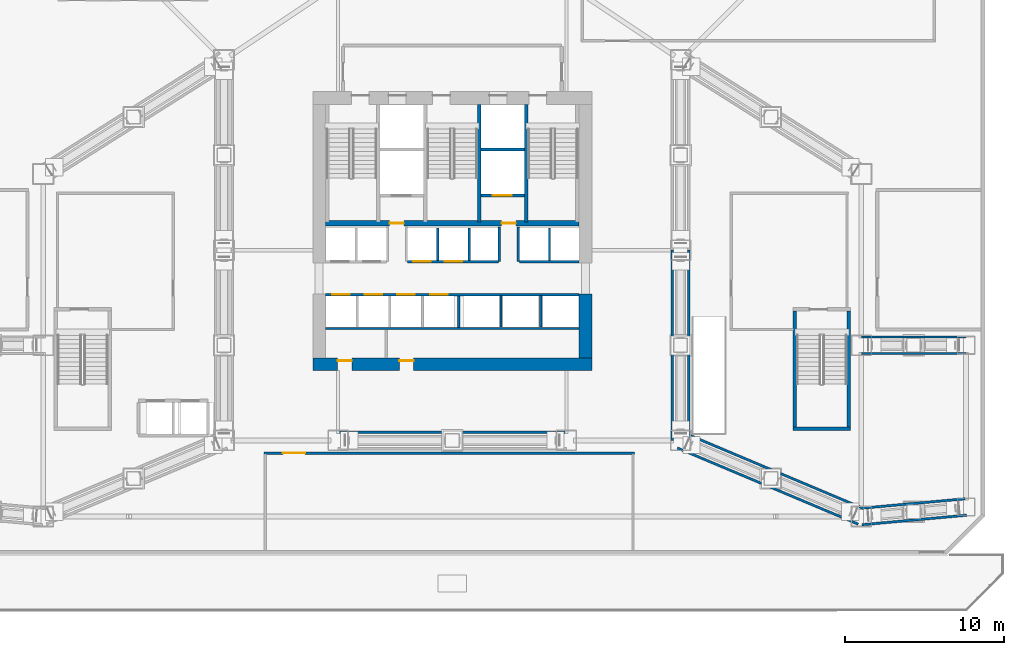
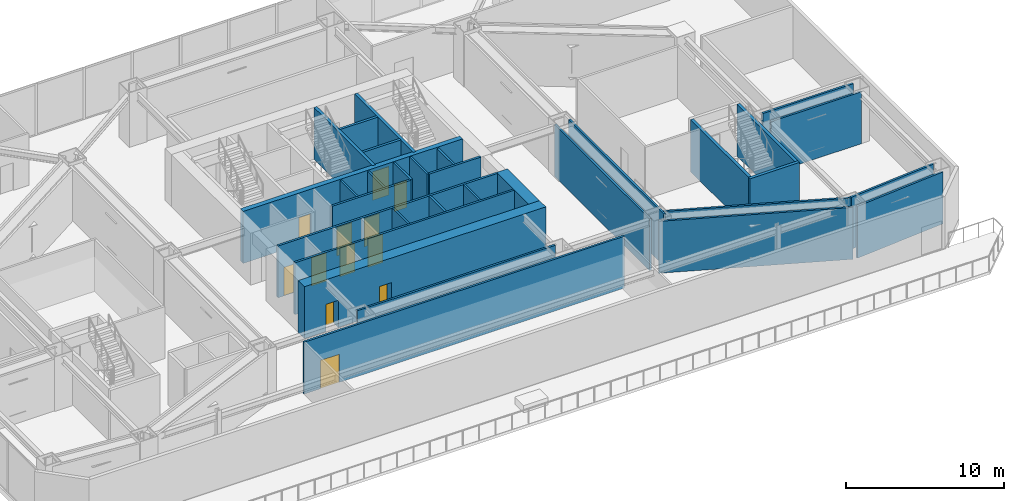
# One storey, part 33 of 39: 32 walls, 12 doors, 12 openings.
"""IFC4 building model written with IfcOpenShell, lengths in metres."""

import ifcopenshell
import ifcopenshell.guid

model = None  # the IFC model being written
_history = None  # IfcOwnerHistory: only IFC2X3 demands one
_inside = {}  # id of a spatial element -> (the spatial element, [elements in it])
_under = {}  # id of a project, library or spatial element -> (it, [spatial elements below it])
_declared = {}  # id of a project -> (the project, [libraries it declares])
_typed = {}  # id of a type object -> (the type object, [elements of that type])
_made_of = {}  # id of a material, layer set ... -> (it, [elements and type objects made of it])


def new_model(schema):
    """Start an empty IFC model of exactly this schema.

    Asked for "IFC4X3", IfcOpenShell would pick the latest addendum, in which some entities
    have other attributes; the version numbers below select the first issue.
    IFC2X3 requires an IfcOwnerHistory on every rooted entity: one is made here for all.
    """
    global model, _history
    if schema == "IFC4X3":
        model = ifcopenshell.file(schema_version=(4, 3, 0, 0))
    else:
        model = ifcopenshell.file(schema=schema)
    _inside.clear()
    _under.clear()
    _declared.clear()
    _typed.clear()
    _made_of.clear()
    _history = None
    if model.schema == "IFC2X3":
        org = make("IfcOrganization", Name="unknown")
        user = make(
            "IfcPersonAndOrganization",
            ThePerson=make("IfcPerson", FamilyName="unknown"),
            TheOrganization=org,
        )
        app = make(
            "IfcApplication",
            ApplicationDeveloper=org,
            Version="unknown",
            ApplicationFullName="unknown",
            ApplicationIdentifier="unknown",
        )
        _history = make(
            "IfcOwnerHistory",
            OwningUser=user,
            OwningApplication=app,
            ChangeAction="ADDED",
            CreationDate=0,
        )
    return model


def make(cls, **values):
    """One entity of the class cls with the attributes given. An attribute that is None is left unset."""
    return model.create_entity(
        cls, **{name: value for name, value in values.items() if value is not None}
    )


def rooted(cls, **values):
    """An entity with a GlobalId (a new one), such as an element, a storey or a relation."""
    return make(cls, GlobalId=ifcopenshell.guid.new(), OwnerHistory=_history, **values)


def si_unit(unit_type, name, prefix=None):
    """IfcSIUnit, for example si_unit("LENGTHUNIT", "METRE", prefix="MILLI")."""
    return make("IfcSIUnit", UnitType=unit_type, Prefix=prefix, Name=name)


def assignment(units):
    """IfcUnitAssignment: the units of a project."""
    return None if units is None else make("IfcUnitAssignment", Units=units)


def point(xyz):
    """IfcCartesianPoint."""
    return None if xyz is None else make("IfcCartesianPoint", Coordinates=xyz)


def direction(xyz):
    """IfcDirection."""
    return None if xyz is None else make("IfcDirection", DirectionRatios=xyz)


def frame(location, z_axis=None, x_axis=None):
    """IfcAxis2Placement3D, a coordinate frame: its origin and axes. An axis left out is left unset."""
    return make(
        "IfcAxis2Placement3D",
        Location=point(location),
        Axis=direction(z_axis),
        RefDirection=direction(x_axis),
    )


def frame_2d(location, x_axis=None):
    """IfcAxis2Placement2D, a coordinate frame in the plane: its origin and x axis."""
    return make(
        "IfcAxis2Placement2D", Location=point(location), RefDirection=direction(x_axis)
    )


def origin():
    """The frame at (0, 0, 0) with its axes left unset."""
    return frame((0.0, 0.0, 0.0))


def place(relative_to, where):
    """IfcLocalPlacement: puts the frame where relative to a parent placement (None: the world)."""
    return make(
        "IfcLocalPlacement", PlacementRelTo=relative_to, RelativePlacement=where
    )


def context(
    kind, dimensions, precision=None, world=None, true_north=None, identifier=None
):
    """IfcGeometricRepresentationContext, for example the 3D "Model" context."""
    return make(
        "IfcGeometricRepresentationContext",
        ContextIdentifier=identifier,
        ContextType=kind,
        CoordinateSpaceDimension=dimensions,
        Precision=precision,
        WorldCoordinateSystem=world,
        TrueNorth=true_north,
    )


def subcontext(parent, identifier, kind, view, scale=None):
    """IfcGeometricRepresentationSubContext, for example "Body" below "Model"."""
    return make(
        "IfcGeometricRepresentationSubContext",
        ContextIdentifier=identifier,
        ContextType=kind,
        ParentContext=parent,
        TargetScale=scale,
        TargetView=view,
    )


def project(units=None, contexts=None):
    """IfcProject with its units and contexts."""
    return rooted(
        "IfcProject",
        Name="project",
        RepresentationContexts=contexts,
        UnitsInContext=assignment(units),
    )


def spatial(cls, under=None, at=None, **own):
    """A site, building, storey or space (cls), placed at a placement, below another one or the project."""
    s = rooted(cls, ObjectPlacement=at, **own)
    if under is not None:
        _under.setdefault(under.id(), (under, []))[1].append(s)
    return s


def profile(cls, at=None, kind="AREA", **sizes):
    """A parametric profile (cls). Its sizes go by their IFC names, for example OverallWidth=200.0."""
    return make(cls, ProfileType=kind, Position=at, **sizes)


def rectangle(**sizes):
    """IfcRectangleProfileDef."""
    return profile("IfcRectangleProfileDef", **sizes)


def extrude(swept, where, along, depth):
    """IfcExtrudedAreaSolid: the profile swept, set in the frame where, extruded along a direction by depth."""
    return make(
        "IfcExtrudedAreaSolid",
        SweptArea=swept,
        Position=where,
        ExtrudedDirection=direction(along),
        Depth=depth,
    )


def shape(context_of_items, identifier, shape_type, items):
    """IfcShapeRepresentation: the items that make up one representation, for example the "Body"."""
    return make(
        "IfcShapeRepresentation",
        ContextOfItems=context_of_items,
        RepresentationIdentifier=identifier,
        RepresentationType=shape_type,
        Items=items,
    )


def material(Name=None, Category=None):
    """IfcMaterial."""
    return make("IfcMaterial", Name=Name, Category=Category)


def layer(
    of_material, thickness, ventilated=None, Name=None, Category=None, Priority=None
):
    """IfcMaterialLayer: one layer of a wall or slab, of a material (None: an air gap)."""
    return make(
        "IfcMaterialLayer",
        Material=of_material,
        LayerThickness=thickness,
        IsVentilated=ventilated,
        Name=Name,
        Category=Category,
        Priority=Priority,
    )


def layer_set(layers, Name=None):
    """IfcMaterialLayerSet."""
    return make("IfcMaterialLayerSet", MaterialLayers=layers, LayerSetName=Name)


def made_of(thing, what):
    """Note that an element or type object is made of a material, layer set ...; save() writes the relation."""
    if what is not None:
        _made_of.setdefault(what.id(), (what, []))[1].append(thing)
    return thing


def type_object(cls, material=None, **own):
    """A type object (cls), such as IfcWallType, which elements share."""
    return made_of(rooted(cls, **own), material)


def element(
    cls,
    number,
    at=None,
    inside=None,
    cuts=None,
    type_object=None,
    material=None,
    context=None,
    identifier="Body",
    shape_type=None,
    held_by="IfcProductDefinitionShape",
    body=None,
    shapes=None,
    **own,
):
    """One element of the class cls, such as IfcWall. Its Tag is "e" and its number.

    at: its placement. inside: the storey or other place that contains it. cuts: it is an
    opening in that element (IfcRelVoidsElement). A single representation is given by context,
    identifier, shape_type and body (its items); several are given by shapes. held_by: the class
    of the entity that holds the representations. save() writes the other relations.
    """
    e = rooted(cls, Tag="e%d" % number, ObjectPlacement=at, **own)
    if body is not None:
        shapes = [shape(context, identifier, shape_type, body)]
    if shapes is not None:
        e.Representation = make(held_by, Representations=shapes)
    if inside is not None:
        _inside.setdefault(inside.id(), (inside, []))[1].append(e)
    if cuts is not None:
        rooted(
            "IfcRelVoidsElement", RelatingBuildingElement=cuts, RelatedOpeningElement=e
        )
    if type_object is not None:
        _typed.setdefault(type_object.id(), (type_object, []))[1].append(e)
    return made_of(e, material)


def fill(opening, filler):
    """IfcRelFillsElement: the door or window that sits in an opening."""
    return rooted(
        "IfcRelFillsElement",
        RelatingOpeningElement=opening,
        RelatedBuildingElement=filler,
    )


def aggregate(whole, parts):
    """IfcRelAggregates: a whole, such as a stair, and the parts it consists of."""
    return rooted("IfcRelAggregates", RelatingObject=whole, RelatedObjects=parts)


def save(model, path):
    """Write the relations noted so far, then the file.

    IfcRelAggregates (storeys below a building ...), IfcRelContainedInSpatialStructure (elements
    in a storey), IfcRelDefinesByType, IfcRelAssociatesMaterial and IfcRelDeclares: one each for
    every whole, place, type object, material and project.
    """
    for whole, parts in _under.values():
        aggregate(whole, parts)
    for where, things in _inside.values():
        rooted(
            "IfcRelContainedInSpatialStructure",
            RelatedElements=things,
            RelatingStructure=where,
        )
    for kind, things in _typed.values():
        rooted("IfcRelDefinesByType", RelatedObjects=things, RelatingType=kind)
    for what, things in _made_of.values():
        rooted("IfcRelAssociatesMaterial", RelatedObjects=things, RelatingMaterial=what)
    for by, libraries in _declared.values():
        rooted("IfcRelDeclares", RelatingContext=by, RelatedDefinitions=libraries)
    model.write(path)


model = new_model("IFC4")

# Units and contexts
model_context = context("Model", 3, precision=1e-05, world=origin(), true_north=direction((0.0, 1.0)))
body_context = subcontext(model_context, "Body", "Model", "MODEL_VIEW")
ifc_project = project(units=[si_unit("LENGTHUNIT", "METRE"), si_unit("AREAUNIT", "SQUARE_METRE"), si_unit("VOLUMEUNIT", "CUBIC_METRE"), si_unit("PLANEANGLEUNIT", "RADIAN"), si_unit("MASSUNIT", "GRAM", prefix="KILO")], contexts=[model_context])

# Site, building, storey
site_placement = place(None, origin())
site = spatial("IfcSite", under=ifc_project, at=site_placement, CompositionType="ELEMENT")
building_placement = place(site_placement, origin())
building = spatial("IfcBuilding", under=site, at=building_placement, Name="Haolan Belvedere Tower", CompositionType="ELEMENT")
storey_placement = place(building_placement, frame((0.0, 0.0, 19.800048828125)))
storey = spatial("IfcBuildingStorey", under=building, at=storey_placement, Name="L04", CompositionType="ELEMENT", Elevation=19.800048828125)

# Wall, openings, doors
ifc_material_1 = material(Name="Concrete C70/85", Category="concrete")
ifc_layer_1 = layer(ifc_material_1, 0.800048828125, Name="Concrete C70/85")
ifc_layer_set_1 = layer_set([ifc_layer_1], Name="Concrete C70/85")
wall_type_1 = type_object("IfcWallType", Name="WL-CORE-800", PredefinedType="SHEAR", material=ifc_layer_set_1)
wall_1_placement = place(storey_placement, frame((29.60009765625, 26.39990234375, 0.0), z_axis=(0.0, 0.0, 1.0), x_axis=(1.0, 0.0, 0.0)))
wall_1 = element("IfcWall", 1, at=wall_1_placement, inside=storey, type_object=wall_type_1, Name="L04 central core south shear wall", PredefinedType="SHEAR", context=body_context, shape_type="SweptSolid", body=[
    extrude(rectangle(XDim=17.599853515625, YDim=0.800048828125, at=frame_2d((8.7998046875, 0.0))), origin(), (0.0, 0.0, 1.0), 4.0),
])
opening_1_placement = place(wall_1_placement, frame((2.469970703125, 0.0, 0.0), z_axis=(0.0, 0.0, 1.0), x_axis=(-1.0, 0.0, 0.0)))
opening_1 = element("IfcOpeningElement", 2, at=opening_1_placement, cuts=wall_1, Name="Opening FD-05", PredefinedType="OPENING", context=body_context, shape_type="SweptSolid", body=[
    extrude(rectangle(XDim=0.89990234375, YDim=2.10009765625, at=frame_2d((0.449951171875, 1.050048828125))), frame((0.0, 0.409912109375, 0.0), z_axis=(0.0, -1.0, 0.0), x_axis=(1.0, 0.0, 0.0)), (0.0, 0.0, 1.0), 0.820068359375),
])
opening_2_placement = place(wall_1_placement, frame((6.35986328125, 0.0, 0.0), z_axis=(0.0, 0.0, 1.0), x_axis=(-1.0, 0.0, 0.0)))
opening_2 = element("IfcOpeningElement", 3, at=opening_2_placement, cuts=wall_1, Name="Opening FD-05", PredefinedType="OPENING", context=body_context, shape_type="SweptSolid", body=[
    extrude(rectangle(XDim=0.89990234375, YDim=2.10009765625, at=frame_2d((0.449951171875, 1.050048828125))), frame((0.0, 0.409912109375, 0.0), z_axis=(0.0, -1.0, 0.0), x_axis=(1.0, 0.0, 0.0)), (0.0, 0.0, 1.0), 0.820068359375),
])
ifc_material_2 = material(Name="Galvanised fire-rated steel", Category="steel")
door_type_1 = type_object("IfcDoorType", Name="DR-FD60-900", OperationType="NOTDEFINED", PredefinedType="DOOR", material=ifc_material_2)
door_1_placement = place(opening_1_placement, origin())
door_1 = element("IfcDoor", 4, at=door_1_placement, inside=storey, type_object=door_type_1, Name="L04 door CD-L04-SCV-1", OperationType="SINGLE_SWING_LEFT", OverallHeight=2.10009765625, OverallWidth=0.89990234375, PredefinedType="DOOR", context=body_context, shape_type="SweptSolid", body=[
    extrude(rectangle(XDim=0.89990234375, YDim=2.10009765625, at=frame_2d((0.449951171875, 1.050048828125))), frame((0.0, -0.19482421875, 0.0), z_axis=(0.0, -1.0, 0.0), x_axis=(1.0, 0.0, 0.0)), (0.0, 0.0, 1.0), 0.050048828125),
])
fill(opening_1, door_1)
door_2_placement = place(opening_2_placement, origin())
door_2 = element("IfcDoor", 5, at=door_2_placement, inside=storey, type_object=door_type_1, Name="L04 door CD-L04-SCV-2", OperationType="SINGLE_SWING_RIGHT", OverallHeight=2.10009765625, OverallWidth=0.89990234375, PredefinedType="DOOR", context=body_context, shape_type="SweptSolid", body=[
    extrude(rectangle(XDim=0.89990234375, YDim=2.10009765625, at=frame_2d((0.449951171875, 1.050048828125))), frame((0.0, -0.19482421875, 0.0), z_axis=(0.0, -1.0, 0.0), x_axis=(1.0, 0.0, 0.0)), (0.0, 0.0, 1.0), 0.050048828125),
])
fill(opening_2, door_2)

# Walls
wall_2_placement = place(storey_placement, frame((46.800048828125, 26.800048828125, 0.0), z_axis=(0.0, 0.0, 1.0), x_axis=(0.0, 1.0, 0.0)))
element("IfcWall", 6, at=wall_2_placement, inside=storey, type_object=wall_type_1, Name="L04 central core shear wall ES", PredefinedType="SHEAR", context=body_context, shape_type="SweptSolid", body=[
    extrude(rectangle(XDim=4.050048828125, YDim=0.800048828125, at=frame_2d((2.02490234375, 0.0))), origin(), (0.0, 0.0, 1.0), 4.0),
])
ifc_material_3 = material(Name="Double gypsum acoustic stud partition", Category="masonry")
ifc_layer_2 = layer(ifc_material_3, 0.14990234375, Name="Double gypsum acoustic stud partition")
ifc_layer_set_2 = layer_set([ifc_layer_2], Name="Double gypsum acoustic stud partition")
wall_type_2 = type_object("IfcWallType", Name="WL-PART-150", PredefinedType="PARTITIONING", material=ifc_layer_set_2)
wall_3_placement = place(storey_placement, frame((30.39990234375, 28.659912109375, 0.0), z_axis=(0.0, 0.0, 1.0), x_axis=(1.0, 0.0, 0.0)))
element("IfcWall", 7, at=wall_3_placement, inside=storey, type_object=wall_type_2, Name="L04 interior partition IW-L04-SSTRIP-N", PredefinedType="PARTITIONING", context=body_context, shape_type="SweptSolid", body=[
    extrude(rectangle(XDim=16.0, YDim=0.14990234375, at=frame_2d((8.0, 0.0))), origin(), (0.0, 0.0, 1.0), 4.0),
])
for number, where, z_axis, x_axis, name in (
    (8, (53.320068359375, 21.60009765625, 0.0), (0.0, 0.0, 1.0), (0.0, 1.0, 0.0), "L04 interior partition IW-L04-CH-TT-T3-E1-1"),
    (9, (52.280029296875, 21.60009765625, 0.0), (0.0, 0.0, 1.0), (0.0, 1.0, 0.0), "L04 interior partition IW-L04-CH-TT-T3-E1-2"),
):
    element("IfcWall", number, at=place(storey_placement, frame(where, z_axis=z_axis, x_axis=x_axis)), inside=storey, type_object=wall_type_2, Name=name, PredefinedType="PARTITIONING", context=body_context, shape_type="SweptSolid", body=[
        extrude(rectangle(XDim=12.0, YDim=0.14990234375, at=frame_2d((6.0, 0.0))), origin(), (0.0, 0.0, 1.0), 4.0),
    ])
wall_4_placement = place(storey_placement, frame((31.199951171875, 22.1201171875, 0.0), z_axis=(0.0, 0.0, 1.0), x_axis=(1.0, 0.0, 0.0)))
element("IfcWall", 10, at=wall_4_placement, inside=storey, type_object=wall_type_2, Name="L04 interior partition IW-L04-CH-TT-T3-SM-2", PredefinedType="PARTITIONING", context=body_context, shape_type="SweptSolid", body=[
    extrude(rectangle(XDim=14.400146484375, YDim=0.14990234375, at=frame_2d((7.2001953125, 0.0))), origin(), (0.0, 0.0, 1.0), 4.0),
])
wall_5_placement = place(storey_placement, frame((52.59814453125, 21.12060546875, 0.0), z_axis=(0.0, 0.0, 1.0), x_axis=(0.921642805559, -0.388039352335, 0.0)))
element("IfcWall", 11, at=wall_5_placement, inside=storey, type_object=wall_type_2, Name="L04 interior partition IW-L04-CH-TT-T4-S-1", PredefinedType="PARTITIONING", context=body_context, shape_type="SweptSolid", body=[
    extrude(rectangle(XDim=12.369384765625, YDim=0.14990234375, at=frame_2d((6.1845703125, 0.0))), origin(), (0.0, 0.0, 1.0), 4.0),
])
wall_6_placement = place(storey_placement, frame((53.3798828125, 21.920166015625, 0.0), z_axis=(0.0, 0.0, 1.0), x_axis=(0.921634222314, -0.388059738005, 0.0)))
element("IfcWall", 12, at=wall_6_placement, inside=storey, type_object=wall_type_2, Name="L04 interior partition IW-L04-CH-TT-T4-S-2", PredefinedType="PARTITIONING", context=body_context, shape_type="SweptSolid", body=[
    extrude(rectangle(XDim=11.959228515625, YDim=0.14990234375, at=frame_2d((5.9794921875, 0.0))), origin(), (0.0, 0.0, 1.0), 4.0),
])
wall_7_placement = place(storey_placement, frame((64.2470703125, 16.281982421875, 0.0), z_axis=(0.0, 0.0, 1.0), x_axis=(0.995891998559, 0.090549032051, 0.0)))
element("IfcWall", 13, at=wall_7_placement, inside=storey, type_object=wall_type_2, Name="L04 interior partition IW-L04-CH-TT-T5-S-1", PredefinedType="PARTITIONING", context=body_context, shape_type="SweptSolid", body=[
    extrude(rectangle(XDim=6.62744140625, YDim=0.14990234375, at=frame_2d((3.313720703125, 0.0))), origin(), (0.0, 0.0, 1.0), 4.0),
])
wall_8_placement = place(storey_placement, frame((64.409423828125, 17.34130859375, 0.0), z_axis=(0.0, 0.0, 1.0), x_axis=(0.995893520631, 0.090532290179, 0.0)))
element("IfcWall", 14, at=wall_8_placement, inside=storey, type_object=wall_type_2, Name="L04 interior partition IW-L04-CH-TT-T5-S-2", PredefinedType="PARTITIONING", context=body_context, shape_type="SweptSolid", body=[
    extrude(rectangle(XDim=6.36962890625, YDim=0.14990234375, at=frame_2d((3.184814453125, 0.0))), origin(), (0.0, 0.0, 1.0), 4.0),
])
for number, where, z_axis, x_axis, name in (
    (15, (64.199951171875, 27.080078125, 0.0), (0.0, 0.0, 1.0), (1.0, 0.0, 0.0), "L04 interior partition IW-L04-CH-TT-T5-N-1"),
    (16, (64.199951171875, 28.1201171875, 0.0), (0.0, 0.0, 1.0), (1.0, 0.0, 0.0), "L04 interior partition IW-L04-CH-TT-T5-N-2"),
):
    element("IfcWall", number, at=place(storey_placement, frame(where, z_axis=z_axis, x_axis=x_axis)), inside=storey, type_object=wall_type_2, Name=name, PredefinedType="PARTITIONING", context=body_context, shape_type="SweptSolid", body=[
        extrude(rectangle(XDim=6.60009765625, YDim=0.14990234375, at=frame_2d((3.300048828125, 0.0))), origin(), (0.0, 0.0, 1.0), 4.0),
    ])

# Wall, opening, door
wall_9_placement = place(storey_placement, frame((26.52001953125, 20.800048828125, 0.0), z_axis=(0.0, 0.0, 1.0), x_axis=(1.0, 0.0, 0.0)))
wall_9 = element("IfcWall", 17, at=wall_9_placement, inside=storey, type_object=wall_type_2, Name="L04 interior partition IW-L04-SPAL-N", PredefinedType="PARTITIONING", context=body_context, shape_type="SweptSolid", body=[
    extrude(rectangle(XDim=23.35986328125, YDim=0.14990234375, at=frame_2d((11.679931640625, 0.0))), origin(), (0.0, 0.0, 1.0), 4.0),
])
opening_3_placement = place(wall_9_placement, frame((2.599853515625, 0.0, 0.0), z_axis=(0.0, 0.0, 1.0), x_axis=(-1.0, 0.0, 0.0)))
opening_3 = element("IfcOpeningElement", 18, at=opening_3_placement, cuts=wall_9, Name="Opening ID-07", PredefinedType="OPENING", context=body_context, shape_type="SweptSolid", body=[
    extrude(rectangle(XDim=1.39990234375, YDim=2.179931640625, at=frame_2d((0.699951171875, 1.08984375))), frame((0.0, 0.0849609375, 0.0), z_axis=(0.0, -1.0, 0.0), x_axis=(1.0, 0.0, 0.0)), (0.0, 0.0, 1.0), 0.169921875),
])
ifc_material_4 = material(Name="Anodised champagne aluminium and acoustic glass", Category="aluminium")
door_type_2 = type_object("IfcDoorType", Name="DR-DBL-1400", OperationType="DOUBLE_DOOR_SINGLE_SWING", PredefinedType="DOOR", material=ifc_material_4)
door_3_placement = place(opening_3_placement, origin())
door_3 = element("IfcDoor", 19, at=door_3_placement, inside=storey, type_object=door_type_2, Name="L04 door ID-L04-SPAL", OperationType="DOUBLE_DOOR_SINGLE_SWING", OverallHeight=2.179931640625, OverallWidth=1.39990234375, PredefinedType="DOOR", context=body_context, shape_type="SweptSolid", body=[
    extrude(rectangle(XDim=1.39990234375, YDim=2.179931640625, at=frame_2d((0.699951171875, 1.08984375))), frame((0.0, 0.02490234375, 0.0), z_axis=(0.0, -1.0, 0.0), x_axis=(1.0, 0.0, 0.0)), (0.0, 0.0, 1.0), 0.050048828125),
])
fill(opening_3, door_3)

# Walls
ifc_material_5 = material(Name="Gypsum fire shaftwall assembly", Category="masonry")
ifc_layer_3 = layer(ifc_material_5, 0.1650390625, Name="Gypsum fire shaftwall assembly")
ifc_layer_set_3 = layer_set([ifc_layer_3], Name="Gypsum fire shaftwall assembly")
wall_type_3 = type_object("IfcWallType", Name="WL-SHAFT-160", PredefinedType="SOLIDWALL", material=ifc_layer_set_3)
for number, where, z_axis, x_axis, name in (
    (20, (41.3701171875, 32.8798828125, 0.0), (0.0, 0.0, 1.0), (0.0, 1.0, 0.0), "L04 interior partition IW-L04-SVP-W-SV2"),
    (21, (42.570068359375, 32.8798828125, 0.0), (0.0, 0.0, 1.0), (0.0, 1.0, 0.0), "L04 interior partition IW-L04-SVP-E-SV2"),
):
    element("IfcWall", number, at=place(storey_placement, frame(where, z_axis=z_axis, x_axis=x_axis)), inside=storey, type_object=wall_type_3, Name=name, PredefinedType="SOLIDWALL", context=body_context, shape_type="SweptSolid", body=[
        extrude(rectangle(XDim=2.170166015625, YDim=0.14990234375, at=frame_2d((1.0849609375, 0.0))), origin(), (0.0, 0.0, 1.0), 4.0),
    ])

# Wall, openings, doors
wall_10_placement = place(storey_placement, frame((35.570068359375, 32.8798828125, 0.0), z_axis=(0.0, 0.0, 1.0), x_axis=(1.0, 0.0, 0.0)))
wall_10 = element("IfcWall", 22, at=wall_10_placement, inside=storey, type_object=wall_type_3, Name="L04 interior partition IW-L04-ROW-PN2", PredefinedType="SOLIDWALL", context=body_context, shape_type="SweptSolid", body=[
    extrude(rectangle(XDim=5.739990234375, YDim=0.159912109375, at=frame_2d((2.8701171875, 0.0))), origin(), (0.0, 0.0, 1.0), 4.0),
])
opening_4_placement = place(wall_10_placement, frame((1.47021484375, 0.0, 0.0), z_axis=(0.0, 0.0, 1.0), x_axis=(-1.0, 0.0, 0.0)))
opening_4 = element("IfcOpeningElement", 23, at=opening_4_placement, cuts=wall_10, Name="Opening LD-01", PredefinedType="OPENING", context=body_context, shape_type="SweptSolid", body=[
    extrude(rectangle(XDim=1.10009765625, YDim=2.199951171875, at=frame_2d((0.550048828125, 1.10009765625))), frame((0.0, 0.08984375, 0.0), z_axis=(0.0, -1.0, 0.0), x_axis=(1.0, 0.0, 0.0)), (0.0, 0.0, 1.0), 0.179931640625),
])
opening_5_placement = place(wall_10_placement, frame((3.460205078125, 0.0, 0.0), z_axis=(0.0, 0.0, 1.0), x_axis=(-1.0, 0.0, 0.0)))
opening_5 = element("IfcOpeningElement", 24, at=opening_5_placement, cuts=wall_10, Name="Opening LD-01", PredefinedType="OPENING", context=body_context, shape_type="SweptSolid", body=[
    extrude(rectangle(XDim=1.10009765625, YDim=2.199951171875, at=frame_2d((0.550048828125, 1.10009765625))), frame((0.0, 0.08984375, 0.0), z_axis=(0.0, -1.0, 0.0), x_axis=(1.0, 0.0, 0.0)), (0.0, 0.0, 1.0), 0.179931640625),
])
ifc_material_6 = material(Name="Brushed champagne stainless steel 316L", Category="steel")
door_type_3 = type_object("IfcDoorType", Name="DR-LIFT-1100", OperationType="SLIDING_TO_LEFT", PredefinedType="DOOR", material=ifc_material_6)
door_4_placement = place(opening_4_placement, origin())
door_4 = element("IfcDoor", 25, at=door_4_placement, inside=storey, type_object=door_type_3, Name="L04 door ID-L04-LD-PL3", OperationType="SLIDING_TO_LEFT", OverallHeight=2.199951171875, OverallWidth=1.10009765625, PredefinedType="DOOR", context=body_context, shape_type="SweptSolid", body=[
    extrude(rectangle(XDim=1.10009765625, YDim=2.199951171875, at=frame_2d((0.550048828125, 1.10009765625))), frame((0.0, 0.02490234375, 0.0), z_axis=(0.0, -1.0, 0.0), x_axis=(1.0, 0.0, 0.0)), (0.0, 0.0, 1.0), 0.050048828125),
])
fill(opening_4, door_4)
door_5_placement = place(opening_5_placement, origin())
door_5 = element("IfcDoor", 26, at=door_5_placement, inside=storey, type_object=door_type_3, Name="L04 door ID-L04-LD-PL4", OperationType="SLIDING_TO_LEFT", OverallHeight=2.199951171875, OverallWidth=1.10009765625, PredefinedType="DOOR", context=body_context, shape_type="SweptSolid", body=[
    extrude(rectangle(XDim=1.10009765625, YDim=2.199951171875, at=frame_2d((0.550048828125, 1.10009765625))), frame((0.0, 0.02490234375, 0.0), z_axis=(0.0, -1.0, 0.0), x_axis=(1.0, 0.0, 0.0)), (0.0, 0.0, 1.0), 0.050048828125),
])
fill(opening_5, door_5)

# Walls
wall_11_placement = place(storey_placement, frame((42.6298828125, 32.8798828125, 0.0), z_axis=(0.0, 0.0, 1.0), x_axis=(1.0, 0.0, 0.0)))
element("IfcWall", 27, at=wall_11_placement, inside=storey, type_object=wall_type_3, Name="L04 interior partition IW-L04-ROW-PN3", PredefinedType="SOLIDWALL", context=body_context, shape_type="SweptSolid", body=[
    extrude(rectangle(XDim=3.77001953125, YDim=0.159912109375, at=frame_2d((1.885009765625, 0.0))), origin(), (0.0, 0.0, 1.0), 4.0),
])
for number, where, z_axis, x_axis, name in (
    (28, (37.47998046875, 32.949951171875, 0.0), (0.0, 0.0, 1.0), (0.0, 1.0, 0.0), "L04 interior partition IW-L04-DIV-PL3"),
    (29, (39.469970703125, 32.949951171875, 0.0), (0.0, 0.0, 1.0), (0.0, 1.0, 0.0), "L04 interior partition IW-L04-DIV-PL4"),
    (30, (44.530029296875, 32.949951171875, 0.0), (0.0, 0.0, 1.0), (0.0, 1.0, 0.0), "L04 interior partition IW-L04-DIV-PH2"),
):
    element("IfcWall", number, at=place(storey_placement, frame(where, z_axis=z_axis, x_axis=x_axis)), inside=storey, type_object=wall_type_3, Name=name, PredefinedType="SOLIDWALL", context=body_context, shape_type="SweptSolid", body=[
        extrude(rectangle(XDim=2.050048828125, YDim=0.14990234375, at=frame_2d((1.02490234375, 0.0))), origin(), (0.0, 0.0, 1.0), 4.0),
    ])

# Wall, openings, doors
wall_12_placement = place(storey_placement, frame((30.39990234375, 30.800048828125, 0.0), z_axis=(0.0, 0.0, 1.0), x_axis=(1.0, 0.0, 0.0)))
wall_12 = element("IfcWall", 31, at=wall_12_placement, inside=storey, type_object=wall_type_3, Name="L04 interior partition IW-L04-ROW-PS", PredefinedType="SOLIDWALL", context=body_context, shape_type="SweptSolid", body=[
    extrude(rectangle(XDim=16.0, YDim=0.159912109375, at=frame_2d((8.0, 0.0))), origin(), (0.0, 0.0, 1.0), 4.0),
])
opening_6_placement = place(wall_12_placement, frame((0.419921875, 0.0, 0.0)))
opening_6 = element("IfcOpeningElement", 32, at=opening_6_placement, cuts=wall_12, Name="Opening LD-01", PredefinedType="OPENING", context=body_context, shape_type="SweptSolid", body=[
    extrude(rectangle(XDim=1.10009765625, YDim=2.199951171875, at=frame_2d((0.550048828125, 1.10009765625))), frame((0.0, 0.08984375, 0.0), z_axis=(0.0, -1.0, 0.0), x_axis=(1.0, 0.0, 0.0)), (0.0, 0.0, 1.0), 0.179931640625),
])
opening_7_placement = place(wall_12_placement, frame((2.47998046875, 0.0, 0.0)))
opening_7 = element("IfcOpeningElement", 33, at=opening_7_placement, cuts=wall_12, Name="Opening LD-01", PredefinedType="OPENING", context=body_context, shape_type="SweptSolid", body=[
    extrude(rectangle(XDim=1.10009765625, YDim=2.199951171875, at=frame_2d((0.550048828125, 1.10009765625))), frame((0.0, 0.08984375, 0.0), z_axis=(0.0, -1.0, 0.0), x_axis=(1.0, 0.0, 0.0)), (0.0, 0.0, 1.0), 0.179931640625),
])
opening_8_placement = place(wall_12_placement, frame((4.5400390625, 0.0, 0.0)))
opening_8 = element("IfcOpeningElement", 34, at=opening_8_placement, cuts=wall_12, Name="Opening LD-01", PredefinedType="OPENING", context=body_context, shape_type="SweptSolid", body=[
    extrude(rectangle(XDim=1.10009765625, YDim=2.199951171875, at=frame_2d((0.550048828125, 1.10009765625))), frame((0.0, 0.08984375, 0.0), z_axis=(0.0, -1.0, 0.0), x_axis=(1.0, 0.0, 0.0)), (0.0, 0.0, 1.0), 0.179931640625),
])
opening_9_placement = place(wall_12_placement, frame((6.60009765625, 0.0, 0.0)))
opening_9 = element("IfcOpeningElement", 35, at=opening_9_placement, cuts=wall_12, Name="Opening LD-01", PredefinedType="OPENING", context=body_context, shape_type="SweptSolid", body=[
    extrude(rectangle(XDim=1.10009765625, YDim=2.199951171875, at=frame_2d((0.550048828125, 1.10009765625))), frame((0.0, 0.08984375, 0.0), z_axis=(0.0, -1.0, 0.0), x_axis=(1.0, 0.0, 0.0)), (0.0, 0.0, 1.0), 0.179931640625),
])
door_6_placement = place(opening_6_placement, origin())
door_6 = element("IfcDoor", 36, at=door_6_placement, inside=storey, type_object=door_type_3, Name="L04 door ID-L04-LD-PM1", OperationType="SLIDING_TO_LEFT", OverallHeight=2.199951171875, OverallWidth=1.10009765625, PredefinedType="DOOR", context=body_context, shape_type="SweptSolid", body=[
    extrude(rectangle(XDim=1.10009765625, YDim=2.199951171875, at=frame_2d((0.550048828125, 1.10009765625))), frame((0.0, 0.02490234375, 0.0), z_axis=(0.0, -1.0, 0.0), x_axis=(1.0, 0.0, 0.0)), (0.0, 0.0, 1.0), 0.050048828125),
])
fill(opening_6, door_6)
door_7_placement = place(opening_7_placement, origin())
door_7 = element("IfcDoor", 37, at=door_7_placement, inside=storey, type_object=door_type_3, Name="L04 door ID-L04-LD-PM2", OperationType="SLIDING_TO_LEFT", OverallHeight=2.199951171875, OverallWidth=1.10009765625, PredefinedType="DOOR", context=body_context, shape_type="SweptSolid", body=[
    extrude(rectangle(XDim=1.10009765625, YDim=2.199951171875, at=frame_2d((0.550048828125, 1.10009765625))), frame((0.0, 0.02490234375, 0.0), z_axis=(0.0, -1.0, 0.0), x_axis=(1.0, 0.0, 0.0)), (0.0, 0.0, 1.0), 0.050048828125),
])
fill(opening_7, door_7)
door_8_placement = place(opening_8_placement, origin())
door_8 = element("IfcDoor", 38, at=door_8_placement, inside=storey, type_object=door_type_3, Name="L04 door ID-L04-LD-PM3", OperationType="SLIDING_TO_LEFT", OverallHeight=2.199951171875, OverallWidth=1.10009765625, PredefinedType="DOOR", context=body_context, shape_type="SweptSolid", body=[
    extrude(rectangle(XDim=1.10009765625, YDim=2.199951171875, at=frame_2d((0.550048828125, 1.10009765625))), frame((0.0, 0.02490234375, 0.0), z_axis=(0.0, -1.0, 0.0), x_axis=(1.0, 0.0, 0.0)), (0.0, 0.0, 1.0), 0.050048828125),
])
fill(opening_8, door_8)
door_9_placement = place(opening_9_placement, origin())
door_9 = element("IfcDoor", 39, at=door_9_placement, inside=storey, type_object=door_type_3, Name="L04 door ID-L04-LD-PM4", OperationType="SLIDING_TO_LEFT", OverallHeight=2.199951171875, OverallWidth=1.10009765625, PredefinedType="DOOR", context=body_context, shape_type="SweptSolid", body=[
    extrude(rectangle(XDim=1.10009765625, YDim=2.199951171875, at=frame_2d((0.550048828125, 1.10009765625))), frame((0.0, 0.02490234375, 0.0), z_axis=(0.0, -1.0, 0.0), x_axis=(1.0, 0.0, 0.0)), (0.0, 0.0, 1.0), 0.050048828125),
])
fill(opening_9, door_9)

# Walls
wall_13_placement = place(storey_placement, frame((38.800048828125, 28.735107421875, 0.0), z_axis=(0.0, 0.0, 1.0), x_axis=(0.0, 1.0, 0.0)))
element("IfcWall", 40, at=wall_13_placement, inside=storey, type_object=wall_type_3, Name="L04 interior partition IW-L04-DIV-PM4", PredefinedType="SOLIDWALL", context=body_context, shape_type="SweptSolid", body=[
    extrude(rectangle(XDim=1.98486328125, YDim=0.14990234375, at=frame_2d((0.992431640625, 0.0))), origin(), (0.0, 0.0, 1.0), 4.0),
])
for number, where, z_axis, x_axis, name in (
    (41, (41.469970703125, 28.75, 0.0), (0.0, 0.0, 1.0), (0.0, 1.0, 0.0), "L04 interior partition IW-L04-DIV-OB1"),
    (42, (43.97998046875, 28.75, 0.0), (0.0, 0.0, 1.0), (0.0, 1.0, 0.0), "L04 interior partition IW-L04-DIV-OB2"),
):
    element("IfcWall", number, at=place(storey_placement, frame(where, z_axis=z_axis, x_axis=x_axis)), inside=storey, type_object=wall_type_3, Name=name, PredefinedType="SOLIDWALL", context=body_context, shape_type="SweptSolid", body=[
        extrude(rectangle(XDim=1.985107421875, YDim=0.14990234375, at=frame_2d((0.99267578125, 0.0))), origin(), (0.0, 0.0, 1.0), 4.0),
    ])
ifc_material_7 = material(Name="Precast concrete C40/50", Category="concrete")
ifc_layer_4 = layer(ifc_material_7, 0.179931640625, Name="Precast concrete C40/50")
ifc_layer_set_4 = layer_set([ifc_layer_4], Name="Precast concrete C40/50")
wall_type_4 = type_object("IfcWallType", Name="WL-SHAFT-180", PredefinedType="SOLIDWALL", material=ifc_layer_set_4)
wall_14_placement = place(storey_placement, frame((40.195068359375, 39.949951171875, 0.0), z_axis=(0.0, 0.0, 1.0), x_axis=(1.0, 0.0, 0.0)))
element("IfcWall", 43, at=wall_14_placement, inside=storey, type_object=wall_type_4, Name="L04 interior partition IW-L04-FF2-S", PredefinedType="SOLIDWALL", context=body_context, shape_type="SweptSolid", body=[
    extrude(rectangle(XDim=2.77001953125, YDim=0.179931640625, at=frame_2d((1.385009765625, 0.0))), origin(), (0.0, 0.0, 1.0), 4.0),
])

# Wall, opening, door
wall_15_placement = place(storey_placement, frame((40.195068359375, 37.050048828125, 0.0), z_axis=(0.0, 0.0, 1.0), x_axis=(1.0, 0.0, 0.0)))
wall_15 = element("IfcWall", 44, at=wall_15_placement, inside=storey, type_object=wall_type_4, Name="L04 interior partition IW-L04-SV2-S", PredefinedType="SOLIDWALL", context=body_context, shape_type="SweptSolid", body=[
    extrude(rectangle(XDim=2.77001953125, YDim=0.179931640625, at=frame_2d((1.385009765625, 0.0))), origin(), (0.0, 0.0, 1.0), 4.0),
])
opening_10_placement = place(wall_15_placement, frame((1.945068359375, 0.0, 0.0), z_axis=(0.0, 0.0, 1.0), x_axis=(-1.0, 0.0, 0.0)))
opening_10 = element("IfcOpeningElement", 45, at=opening_10_placement, cuts=wall_15, Name="Opening LD-02", PredefinedType="OPENING", context=body_context, shape_type="SweptSolid", body=[
    extrude(rectangle(XDim=1.199951171875, YDim=2.199951171875, at=frame_2d((0.60009765625, 1.10009765625))), frame((0.0, 0.099853515625, 0.0), z_axis=(0.0, -1.0, 0.0), x_axis=(1.0, 0.0, 0.0)), (0.0, 0.0, 1.0), 0.199951171875),
])
door_type_4 = type_object("IfcDoorType", Name="DR-LIFT-1200", OperationType="SLIDING_TO_RIGHT", PredefinedType="DOOR", material=ifc_material_6)
door_10_placement = place(opening_10_placement, origin())
door_10 = element("IfcDoor", 46, at=door_10_placement, inside=storey, type_object=door_type_4, Name="L04 door ID-L04-LD-SV2", OperationType="SLIDING_TO_RIGHT", OverallHeight=2.199951171875, OverallWidth=1.199951171875, PredefinedType="DOOR", context=body_context, shape_type="SweptSolid", body=[
    extrude(rectangle(XDim=1.199951171875, YDim=2.199951171875, at=frame_2d((0.60009765625, 1.10009765625))), frame((0.0, 0.02490234375, 0.0), z_axis=(0.0, -1.0, 0.0), x_axis=(1.0, 0.0, 0.0)), (0.0, 0.0, 1.0), 0.050048828125),
])
fill(opening_10, door_10)

# Walls
ifc_material_8 = material(Name="Concrete C50/60", Category="concrete")
ifc_layer_5 = layer(ifc_material_8, 0.219970703125, Name="Concrete C50/60")
ifc_layer_set_5 = layer_set([ifc_layer_5], Name="Concrete C50/60")
wall_type_5 = type_object("IfcWallType", Name="WL-STAIR-220", PredefinedType="SHEAR", material=ifc_layer_set_5)
for number, where, z_axis, x_axis, name in (
    (47, (40.10009765625, 35.389892578125, 0.0), (0.0, 0.0, 1.0), (0.0, 1.0, 0.0), "L04 structural stair core wall ST3E"),
    (48, (43.06005859375, 35.389892578125, 0.0), (0.0, 0.0, 1.0), (0.0, 1.0, 0.0), "L04 structural stair core wall ST2W"),
):
    element("IfcWall", number, at=place(storey_placement, frame(where, z_axis=z_axis, x_axis=x_axis)), inside=storey, type_object=wall_type_5, Name=name, PredefinedType="SHEAR", context=body_context, shape_type="SweptSolid", body=[
        extrude(rectangle(XDim=7.41015625, YDim=0.219970703125, at=frame_2d((3.705078125, 0.0))), origin(), (0.0, 0.0, 1.0), 4.0),
    ])
wall_16_placement = place(storey_placement, frame((59.89990234375, 22.340087890625, 0.0), z_axis=(0.0, 0.0, 1.0), x_axis=(1.0, 0.0, 0.0)))
element("IfcWall", 49, at=wall_16_placement, inside=storey, type_object=wall_type_5, Name="L04 podium stair ST5 structural shaft wall S", PredefinedType="SHEAR", context=body_context, shape_type="SweptSolid", body=[
    extrude(rectangle(XDim=3.6201171875, YDim=0.219970703125, at=frame_2d((1.81005859375, 0.0))), origin(), (0.0, 0.0, 1.0), 4.0),
])
for number, where, z_axis, x_axis, name in (
    (50, (60.010009765625, 22.449951171875, 0.0), (0.0, 0.0, 1.0), (0.0, 1.0, 0.0), "L04 podium stair ST5 structural shaft wall W"),
    (51, (63.409912109375, 22.449951171875, 0.0), (0.0, 0.0, 1.0), (0.0, 1.0, 0.0), "L04 podium stair ST5 structural shaft wall E"),
):
    element("IfcWall", number, at=place(storey_placement, frame(where, z_axis=z_axis, x_axis=x_axis)), inside=storey, type_object=wall_type_5, Name=name, PredefinedType="SHEAR", context=body_context, shape_type="SweptSolid", body=[
        extrude(rectangle(XDim=7.300048828125, YDim=0.219970703125, at=frame_2d((3.64990234375, 0.0))), origin(), (0.0, 0.0, 1.0), 4.0),
    ])

# Wall, openings, doors
ifc_material_9 = material(Name="Concrete C60/75", Category="concrete")
ifc_layer_6 = layer(ifc_material_9, 0.360107421875, Name="Concrete C60/75")
ifc_layer_set_6 = layer_set([ifc_layer_6], Name="Concrete C60/75")
wall_type_6 = type_object("IfcWallType", Name="WL-WEB-350", PredefinedType="SHEAR", material=ifc_layer_set_6)
wall_17_placement = place(storey_placement, frame((30.39990234375, 35.2900390625, 0.0), z_axis=(0.0, 0.0, 1.0), x_axis=(1.0, 0.0, 0.0)))
wall_17 = element("IfcWall", 52, at=wall_17_placement, inside=storey, type_object=wall_type_6, Name="L04 central core internal shear web", PredefinedType="SHEAR", context=body_context, shape_type="SweptSolid", body=[
    extrude(rectangle(XDim=16.0, YDim=0.360107421875, at=frame_2d((8.0, 0.0))), origin(), (0.0, 0.0, 1.0), 4.0),
])
opening_11_placement = place(wall_17_placement, frame((4.949951171875, 0.0, 0.0), z_axis=(0.0, 0.0, 1.0), x_axis=(-1.0, 0.0, 0.0)))
opening_11 = element("IfcOpeningElement", 53, at=opening_11_placement, cuts=wall_17, Name="Opening FD-05", PredefinedType="OPENING", context=body_context, shape_type="SweptSolid", body=[
    extrude(rectangle(XDim=0.89990234375, YDim=2.10009765625, at=frame_2d((0.449951171875, 1.050048828125))), frame((0.0, 0.18994140625, 0.0), z_axis=(0.0, -1.0, 0.0), x_axis=(1.0, 0.0, 0.0)), (0.0, 0.0, 1.0), 0.380126953125),
])
opening_12_placement = place(wall_17_placement, frame((12.010009765625, 0.0, 0.0), z_axis=(0.0, 0.0, 1.0), x_axis=(-1.0, 0.0, 0.0)))
opening_12 = element("IfcOpeningElement", 54, at=opening_12_placement, cuts=wall_17, Name="Opening FD-05", PredefinedType="OPENING", context=body_context, shape_type="SweptSolid", body=[
    extrude(rectangle(XDim=0.89990234375, YDim=2.10009765625, at=frame_2d((0.449951171875, 1.050048828125))), frame((0.0, 0.18994140625, 0.0), z_axis=(0.0, -1.0, 0.0), x_axis=(1.0, 0.0, 0.0)), (0.0, 0.0, 1.0), 0.380126953125),
])
door_11_placement = place(opening_11_placement, origin())
door_11 = element("IfcDoor", 55, at=door_11_placement, inside=storey, type_object=door_type_1, Name="L04 door CD-L04-SVL-SV1", OperationType="SINGLE_SWING_RIGHT", OverallHeight=2.10009765625, OverallWidth=0.89990234375, PredefinedType="DOOR", context=body_context, shape_type="SweptSolid", body=[
    extrude(rectangle(XDim=0.89990234375, YDim=2.10009765625, at=frame_2d((0.449951171875, 1.050048828125))), frame((0.0, 0.02490234375, 0.0), z_axis=(0.0, -1.0, 0.0), x_axis=(1.0, 0.0, 0.0)), (0.0, 0.0, 1.0), 0.050048828125),
])
fill(opening_11, door_11)
door_12_placement = place(opening_12_placement, origin())
door_12 = element("IfcDoor", 56, at=door_12_placement, inside=storey, type_object=door_type_1, Name="L04 door CD-L04-SVL-SV2", OperationType="SINGLE_SWING_RIGHT", OverallHeight=2.10009765625, OverallWidth=0.89990234375, PredefinedType="DOOR", context=body_context, shape_type="SweptSolid", body=[
    extrude(rectangle(XDim=0.89990234375, YDim=2.10009765625, at=frame_2d((0.449951171875, 1.050048828125))), frame((0.0, 0.02490234375, 0.0), z_axis=(0.0, -1.0, 0.0), x_axis=(1.0, 0.0, 0.0)), (0.0, 0.0, 1.0), 0.050048828125),
])
fill(opening_12, door_12)

save(model, "model.ifc")
